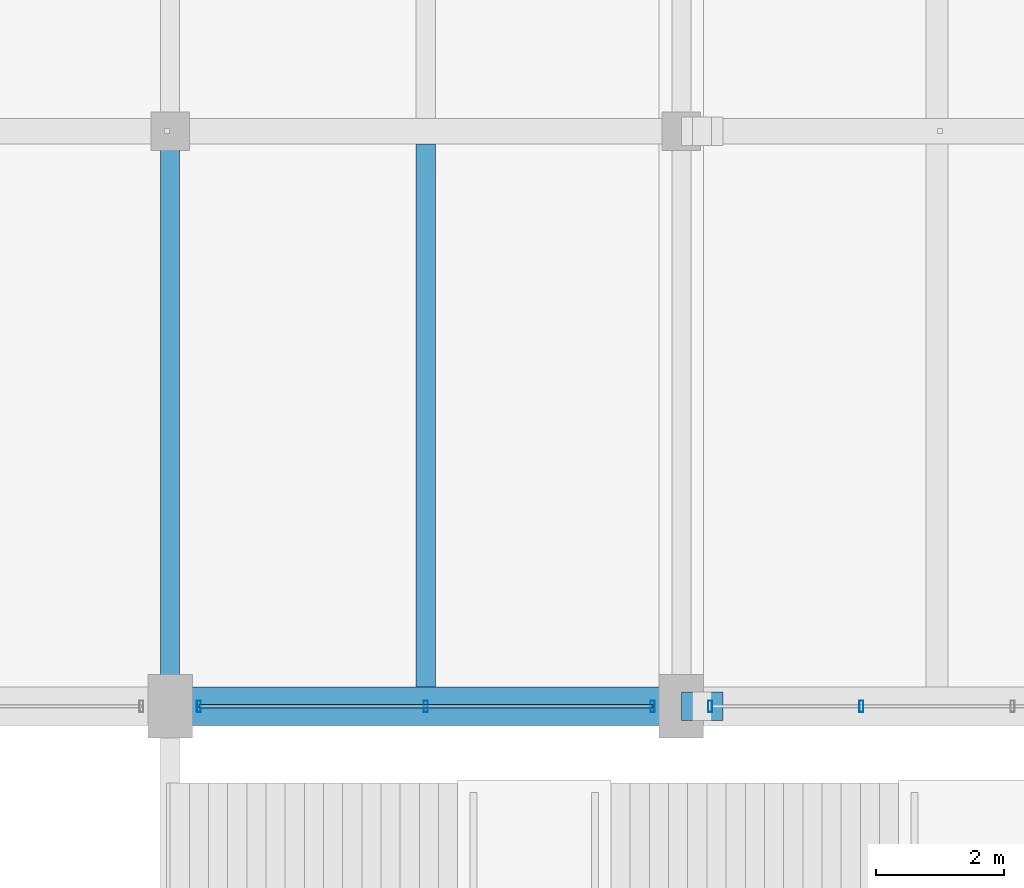
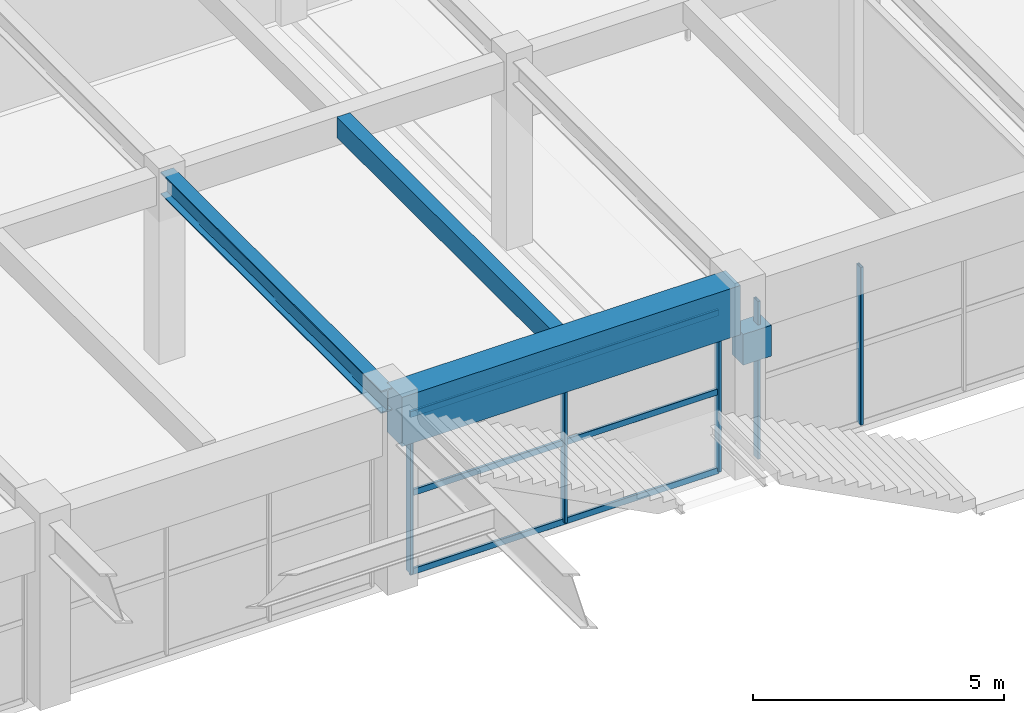
# One storey, part 64 of 144: 8 members, 4 beams, 2 elements without a shape of their own.
"""IFC4 building model written with IfcOpenShell, lengths in metres."""

from ifc_helpers import new_model, si_unit, direction, frame, origin, origin_2d, place, context, subcontext, project, spatial, rectangle, hollow_rectangle, i_section, extrude, material, material_profile, profile_set, type_object, element, aggregate, save


model = new_model("IFC4")

# Units and contexts
model_context = context("Model", 3, precision=1e-05, world=origin(), true_north=direction((0.0, 1.0)))
body_context = subcontext(model_context, "Body", "Model", "MODEL_VIEW")
ifc_project = project(units=[si_unit("LENGTHUNIT", "METRE"), si_unit("AREAUNIT", "SQUARE_METRE"), si_unit("VOLUMEUNIT", "CUBIC_METRE"), si_unit("PLANEANGLEUNIT", "RADIAN"), si_unit("MASSUNIT", "GRAM", prefix="KILO")], contexts=[model_context])

# Site, building, storey
site_placement = place(None, origin())
site = spatial("IfcSite", under=ifc_project, at=site_placement, CompositionType="ELEMENT")
building_placement = place(site_placement, origin())
building = spatial("IfcBuilding", under=site, at=building_placement, Name="Varnabhumi Central Station", CompositionType="ELEMENT")
storey_placement = place(building_placement, frame((0.0, 0.0, 4.800048828125)))
storey = spatial("IfcBuildingStorey", under=building, at=storey_placement, Name="L01", CompositionType="ELEMENT", Elevation=4.800048828125)

# Beams
ifc_material_1 = material(Name="Concrete M50", Category="concrete")
ifc_material_profile_1 = material_profile(ifc_material_1, rectangle(XDim=0.60009765625, YDim=1.199951171875, at=origin_2d()), Name="Concrete M50", Category="concrete")
ifc_profile_set_1 = profile_set([ifc_material_profile_1], Name="Concrete M50")
beam_type_1 = type_object("IfcBeamType", Name="BM-RC-1200x600", PredefinedType="BEAM", material=ifc_profile_set_1)
beam_1_placement = place(storey_placement, frame((112.10009765625, 80.0, 3.949951171875), z_axis=(1.0, 0.0, 0.0), x_axis=(0.0, 1.0, 0.0)))
element("IfcBeam", 1, at=beam_1_placement, inside=storey, type_object=beam_type_1, Name="Beam L01-K:15-16", PredefinedType="BEAM", context=body_context, shape_type="SweptSolid", body=[
    extrude(rectangle(XDim=0.60009765625, YDim=1.199951171875, at=origin_2d()), origin(), (0.0, 0.0, 1.0), 7.7998046875),
])
ifc_material_2 = material(Name="Concrete M40", Category="concrete")
ifc_material_profile_2 = material_profile(ifc_material_2, rectangle(XDim=0.300048828125, YDim=0.5, at=origin_2d()), Name="Concrete M40", Category="concrete")
ifc_profile_set_2 = profile_set([ifc_material_profile_2], Name="Concrete M40")
beam_type_2 = type_object("IfcBeamType", Name="BM-RC-300x500", PredefinedType="JOIST", material=ifc_profile_set_2)
beam_2_placement = place(storey_placement, frame((116.0, 80.300048828125, 4.300048828125), z_axis=(0.0, 1.0, 0.0), x_axis=(-1.0, 0.0, 0.0)))
element("IfcBeam", 2, at=beam_2_placement, inside=storey, type_object=beam_type_2, Name="Secondary Joist L01-15/16:K-L", PredefinedType="JOIST", context=body_context, shape_type="SweptSolid", body=[
    extrude(rectangle(XDim=0.300048828125, YDim=0.5, at=origin_2d()), origin(), (0.0, 0.0, 1.0), 8.5),
])
ifc_material_profile_3 = material_profile(ifc_material_2, rectangle(XDim=0.449951171875, YDim=0.75, at=origin_2d()), Name="Concrete M40", Category="concrete")
ifc_profile_set_3 = profile_set([ifc_material_profile_3], Name="Concrete M40")
beam_type_3 = type_object("IfcBeamType", Name="BM-RC-450x750", PredefinedType="BEAM", material=ifc_profile_set_3)
beam_3_placement = place(storey_placement, frame((120.0, 80.0, 2.89501953125), z_axis=(1.0, 0.0, 0.0), x_axis=(0.0, 1.0, 0.0)))
element("IfcBeam", 3, at=beam_3_placement, inside=storey, type_object=beam_type_3, Name="Movement Joint 650mm Corbel Seat L01-K-16", PredefinedType="BEAM", context=body_context, shape_type="SweptSolid", body=[
    extrude(rectangle(XDim=0.449951171875, YDim=0.75, at=origin_2d()), origin(), (0.0, 0.0, 1.0), 0.64990234375),
])
ifc_material_3 = material(Name="Structural steel E350", Category="steel")
ifc_material_profile_4 = material_profile(ifc_material_3, i_section(OverallWidth=0.300048828125, OverallDepth=0.550048828125, WebThickness=0.014892578125, FlangeThickness=0.029052734375, FilletRadius=0.027099609375, at=origin_2d()), Name="Structural steel E350", Category="steel")
ifc_profile_set_4 = profile_set([ifc_material_profile_4], Name="Structural steel E350")
beam_type_4 = type_object("IfcBeamType", Name="BM-STL-WPB550", PredefinedType="BEAM", material=ifc_profile_set_4)
beam_4_placement = place(storey_placement, frame((112.0, 80.10009765625, 4.27490234375), z_axis=(0.0, 1.0, 0.0), x_axis=(-1.0, 0.0, 0.0)))
element("IfcBeam", 4, at=beam_4_placement, inside=storey, type_object=beam_type_4, Name="Beam L01-15:K-L", PredefinedType="BEAM", context=body_context, shape_type="SweptSolid", body=[
    extrude(i_section(OverallWidth=0.300048828125, OverallDepth=0.550048828125, WebThickness=0.014892578125, FlangeThickness=0.029052734375, FilletRadius=0.027099609375, at=origin_2d()), origin(), (0.0, 0.0, 1.0), 8.7998046875),
])

# Curtain wall, members
ifc_material_4 = material(Name="Anodised aluminium 6063-T6", Category="aluminium")
curtain_wall_type_1 = type_object("IfcCurtainWallType", Name="CW-SPINE-SCREEN-L0", PredefinedType="NOTDEFINED", material=ifc_material_4)
curtain_wall_1_placement = place(storey_placement, origin())
curtain_wall_1 = element("IfcCurtainWall", 5, at=curtain_wall_1_placement, inside=storey, type_object=curtain_wall_type_1, Name="Curtain Wall CW-NS114", PredefinedType="NOTDEFINED")
ifc_material_profile_5 = material_profile(ifc_material_4, hollow_rectangle(XDim=0.06494140625, YDim=0.179931640625, WallThickness=0.00390625, InnerFilletRadius=0.001953125, OuterFilletRadius=0.006103515625, at=origin_2d()), Name="Anodised aluminium 6063-T6", Category="aluminium")
ifc_profile_set_5 = profile_set([ifc_material_profile_5], Name="Anodised aluminium 6063-T6")
member_type_1 = type_object("IfcMemberType", Name="CW-MUL-180", PredefinedType="MULLION", material=ifc_profile_set_5)
member_1_placement = place(storey_placement, frame((112.449951171875, 80.0, 0.0), z_axis=(0.0, 0.0, 1.0), x_axis=(1.0, 0.0, 0.0)))
member_1 = element("IfcMember", 6, at=member_1_placement, type_object=member_type_1, Name="Curtain Wall Mullion CW-NS114-M1", PredefinedType="MULLION", context=body_context, shape_type="SweptSolid", body=[
    extrude(hollow_rectangle(XDim=0.06494140625, YDim=0.179931640625, WallThickness=0.00390625, InnerFilletRadius=0.001953125, OuterFilletRadius=0.006103515625, at=origin_2d()), origin(), (0.0, 0.0, 1.0), 3.83984375),
])
member_2_placement = place(storey_placement, frame((116.0, 80.0, 0.0), z_axis=(0.0, 0.0, 1.0), x_axis=(1.0, 0.0, 0.0)))
member_2 = element("IfcMember", 7, at=member_2_placement, type_object=member_type_1, Name="Curtain Wall Mullion CW-NS114-M2", PredefinedType="MULLION", context=body_context, shape_type="SweptSolid", body=[
    extrude(hollow_rectangle(XDim=0.06494140625, YDim=0.179931640625, WallThickness=0.00390625, InnerFilletRadius=0.001953125, OuterFilletRadius=0.006103515625, at=origin_2d()), origin(), (0.0, 0.0, 1.0), 3.83984375),
])
member_3_placement = place(storey_placement, frame((119.550048828125, 80.0, 0.0), z_axis=(0.0, 0.0, 1.0), x_axis=(1.0, 0.0, 0.0)))
member_3 = element("IfcMember", 8, at=member_3_placement, type_object=member_type_1, Name="Curtain Wall Mullion CW-NS114-M3", PredefinedType="MULLION", context=body_context, shape_type="SweptSolid", body=[
    extrude(hollow_rectangle(XDim=0.06494140625, YDim=0.179931640625, WallThickness=0.00390625, InnerFilletRadius=0.001953125, OuterFilletRadius=0.006103515625, at=origin_2d()), origin(), (0.0, 0.0, 1.0), 3.83984375),
])

curtain_wall_type_2 = type_object("IfcCurtainWallType", Name="CW-STREET-PORTAL", PredefinedType="NOTDEFINED", material=ifc_material_4)
curtain_wall_2_placement = place(storey_placement, origin())
curtain_wall_2 = element("IfcCurtainWall", 9, at=curtain_wall_2_placement, inside=storey, type_object=curtain_wall_type_2, Name="Curtain Wall CW-NSP115", PredefinedType="NOTDEFINED")
member_4_placement = place(storey_placement, frame((120.449951171875, 80.0, 0.0), z_axis=(0.0, 0.0, 1.0), x_axis=(1.0, 0.0, 0.0)))
member_4 = element("IfcMember", 10, at=member_4_placement, type_object=member_type_1, Name="Curtain Wall Mullion CW-NSP115-M1", PredefinedType="MULLION", context=body_context, shape_type="SweptSolid", body=[
    extrude(hollow_rectangle(XDim=0.06494140625, YDim=0.179931640625, WallThickness=0.00390625, InnerFilletRadius=0.001953125, OuterFilletRadius=0.006103515625, at=origin_2d()), origin(), (0.0, 0.0, 1.0), 3.83984375),
])
member_5_placement = place(storey_placement, frame((122.816650390625, 80.0, 0.0), z_axis=(0.0, 0.0, 1.0), x_axis=(1.0, 0.0, 0.0)))
member_5 = element("IfcMember", 11, at=member_5_placement, type_object=member_type_1, Name="Curtain Wall Mullion CW-NSP115-M2", PredefinedType="MULLION", context=body_context, shape_type="SweptSolid", body=[
    extrude(hollow_rectangle(XDim=0.06494140625, YDim=0.179931640625, WallThickness=0.00390625, InnerFilletRadius=0.001953125, OuterFilletRadius=0.006103515625, at=origin_2d()), origin(), (0.0, 0.0, 1.0), 3.83984375),
])
aggregate(curtain_wall_2, [member_4, member_5])

# Member
ifc_material_profile_6 = material_profile(ifc_material_4, hollow_rectangle(XDim=0.06005859375, YDim=0.14990234375, WallThickness=0.00390625, InnerFilletRadius=0.001953125, OuterFilletRadius=0.006103515625, at=origin_2d()), Name="Anodised aluminium 6063-T6", Category="aluminium")
ifc_profile_set_6 = profile_set([ifc_material_profile_6], Name="Anodised aluminium 6063-T6")
member_type_2 = type_object("IfcMemberType", Name="CW-TR-150", PredefinedType="USERDEFINED", material=ifc_profile_set_6)
member_6_placement = place(storey_placement, frame((112.449951171875, 80.0, 0.0), z_axis=(1.0, 0.0, 0.0), x_axis=(0.0, 1.0, 0.0)))
member_6 = element("IfcMember", 12, at=member_6_placement, type_object=member_type_2, Name="Curtain Wall Transom CW-NS114-T1", ObjectType="TRANSOM", PredefinedType="USERDEFINED", context=body_context, shape_type="SweptSolid", body=[
    extrude(hollow_rectangle(XDim=0.06005859375, YDim=0.14990234375, WallThickness=0.00390625, InnerFilletRadius=0.001953125, OuterFilletRadius=0.006103515625, at=origin_2d()), origin(), (0.0, 0.0, 1.0), 7.10009765625),
])

member_7_placement = place(storey_placement, frame((112.449951171875, 80.0, 1.919921875), z_axis=(1.0, 0.0, 0.0), x_axis=(0.0, 1.0, 0.0)))
member_7 = element("IfcMember", 13, at=member_7_placement, type_object=member_type_2, Name="Curtain Wall Transom CW-NS114-T2", ObjectType="TRANSOM", PredefinedType="USERDEFINED", context=body_context, shape_type="SweptSolid", body=[
    extrude(hollow_rectangle(XDim=0.06005859375, YDim=0.14990234375, WallThickness=0.00390625, InnerFilletRadius=0.001953125, OuterFilletRadius=0.006103515625, at=origin_2d()), origin(), (0.0, 0.0, 1.0), 7.10009765625),
])

member_8_placement = place(storey_placement, frame((112.449951171875, 80.0, 3.83984375), z_axis=(1.0, 0.0, 0.0), x_axis=(0.0, 1.0, 0.0)))
member_8 = element("IfcMember", 14, at=member_8_placement, type_object=member_type_2, Name="Curtain Wall Transom CW-NS114-T3", ObjectType="TRANSOM", PredefinedType="USERDEFINED", context=body_context, shape_type="SweptSolid", body=[
    extrude(hollow_rectangle(XDim=0.06005859375, YDim=0.14990234375, WallThickness=0.00390625, InnerFilletRadius=0.001953125, OuterFilletRadius=0.006103515625, at=origin_2d()), origin(), (0.0, 0.0, 1.0), 7.10009765625),
])

aggregate(curtain_wall_1, [member_1, member_2, member_3, member_6, member_7, member_8])

save(model, "model.ifc")
